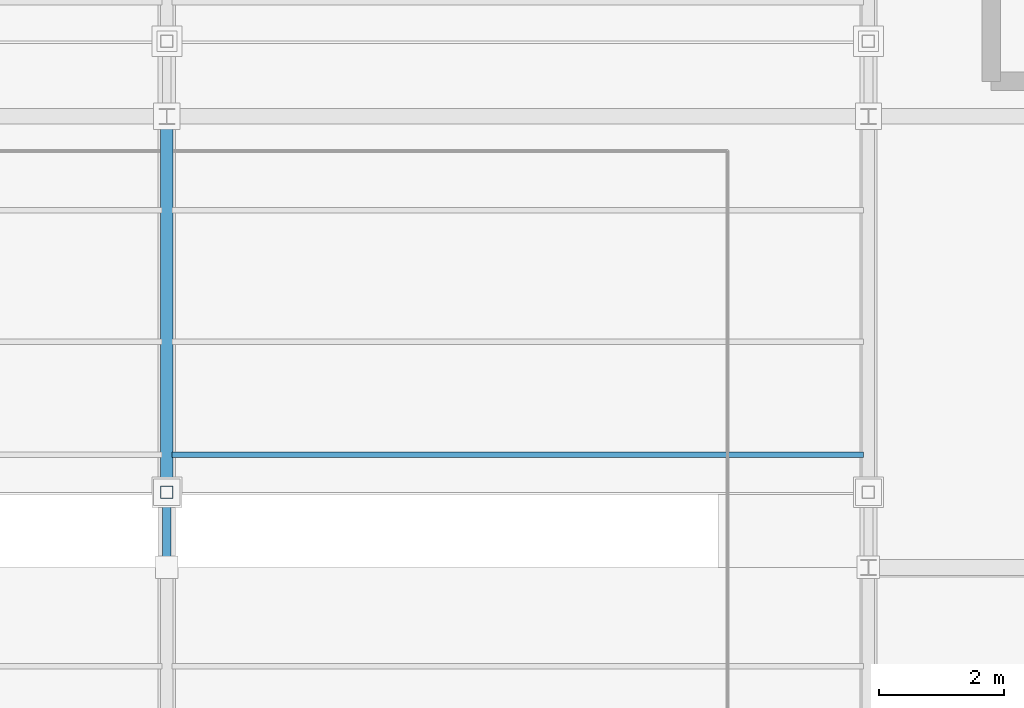
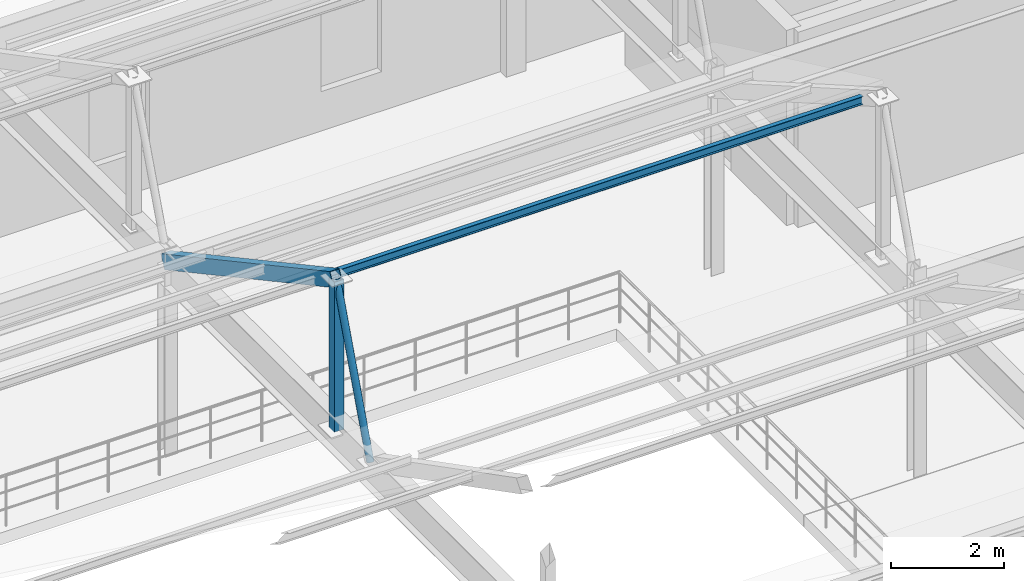
# One storey, part 67 of 112: 4 members.
"""IFC4 building model written with IfcOpenShell, lengths in metres."""

from ifc_helpers import new_model, si_unit, direction, frame, origin, origin_2d, place, context, subcontext, project, spatial, hollow_rectangle, hollow_circle, i_section, extrude, material, material_profile, profile_set, type_object, element, save


model = new_model("IFC4")

# Units and contexts
model_context = context("Model", 3, precision=1e-05, world=origin(), true_north=direction((0.0, 1.0)))
body_context = subcontext(model_context, "Body", "Model", "MODEL_VIEW")
ifc_project = project(units=[si_unit("LENGTHUNIT", "METRE"), si_unit("AREAUNIT", "SQUARE_METRE"), si_unit("VOLUMEUNIT", "CUBIC_METRE"), si_unit("PLANEANGLEUNIT", "RADIAN"), si_unit("MASSUNIT", "GRAM", prefix="KILO")], contexts=[model_context])

# Site, building, storey
site_placement = place(None, origin())
site = spatial("IfcSite", under=ifc_project, at=site_placement, CompositionType="ELEMENT")
building_placement = place(site_placement, origin())
building = spatial("IfcBuilding", under=site, at=building_placement, Name="Cinderbank Siding Concert Hall", CompositionType="ELEMENT")
storey_placement = place(building_placement, frame((0.0, 0.0, 10.199951171875)))
storey = spatial("IfcBuildingStorey", under=building, at=storey_placement, Name="L03", CompositionType="ELEMENT", Elevation=10.199951171875)

# Members
ifc_material_1 = material(Name="Structural steel hollow section AS/NZS 1163 Grade C350L0 (350 MPa)", Category="steel")
ifc_material_profile_1 = material_profile(ifc_material_1, hollow_circle(Radius=0.06982421875, WallThickness=0.00634765625, at=origin_2d()), Name="139.7x6.4CHS", Category="LoadBearing")
ifc_profile_set_1 = profile_set([ifc_material_profile_1], Name="Structural steel hollow section AS/NZS 1163 Grade C350L0 (350 MPa)")
member_type_1 = type_object("IfcMemberType", Name="BR-CHS139 139.7x6.4CHS Roof Truss", PredefinedType="BRACE", material=ifc_profile_set_1)
member_1_placement = place(storey_placement, frame((139.199951171875, 103.300048828125, 4.150146484375), z_axis=(0.0, 0.346361679598, 0.938101053675), x_axis=(-1.0, 0.0, 0.0)))
element("IfcMember", 1, at=member_1_placement, inside=storey, type_object=member_type_1, Name="L03 Diagonal Brace BR-CHS139 #V3DG-BR-CHS139-L03-2470", PredefinedType="BRACE", context=body_context, shape_type="SweptSolid", body=[
    extrude(hollow_circle(Radius=0.06982421875, WallThickness=0.00634765625, at=origin_2d()), origin(), (0.0, 0.0, 1.0), 3.46435546875),
])
ifc_material_profile_2 = material_profile(ifc_material_1, hollow_rectangle(XDim=0.199951171875, YDim=0.199951171875, WallThickness=0.009033203125, at=origin_2d()), Name="200x200x9.0SHS", Category="LoadBearing")
ifc_profile_set_2 = profile_set([ifc_material_profile_2], Name="Structural steel hollow section AS/NZS 1163 Grade C350L0 (350 MPa)")
member_type_2 = type_object("IfcMemberType", Name="BR-SHS200 200x200x9.0SHS Roof Truss", PredefinedType="BRACE", material=ifc_profile_set_2)
member_2_placement = place(storey_placement, frame((139.199951171875, 104.5, 4.150146484375), z_axis=(0.0, 0.0, 1.0), x_axis=(1.0, 0.0, 0.0)))
element("IfcMember", 2, at=member_2_placement, inside=storey, type_object=member_type_2, Name="L03 Diagonal Brace BR-SHS200 #V3ST-BR-SHS200-L03-2469", PredefinedType="BRACE", context=body_context, shape_type="SweptSolid", body=[
    extrude(hollow_rectangle(XDim=0.199951171875, YDim=0.199951171875, WallThickness=0.009033203125, at=origin_2d()), origin(), (0.0, 0.0, 1.0), 3.25),
])
ifc_material_2 = material(Name="Structural steel AS/NZS 3679.1 Grade 350 (340 MPa)", Category="steel")
ifc_material_profile_3 = material_profile(ifc_material_2, i_section(OverallWidth=0.090087890625, OverallDepth=0.175048828125, WebThickness=0.0048828125, FlangeThickness=0.008056640625, at=origin_2d()), Name="180UB18.1", Category="LoadBearing")
ifc_profile_set_3 = profile_set([ifc_material_profile_3], Name="Structural steel AS/NZS 3679.1 Grade 350 (340 MPa)")
member_type_3 = type_object("IfcMemberType", Name="PR-UB180 180UB18.1 Roof Truss", PredefinedType="PURLIN", material=ifc_profile_set_3)
member_3_placement = place(storey_placement, frame((139.280029296875, 105.10009765625, 7.02001953125), z_axis=(1.0, 0.0, 0.0), x_axis=(0.0, 1.0, 0.0)))
element("IfcMember", 3, at=member_3_placement, inside=storey, type_object=member_type_3, Name="L03 Roof Truss Member PR-UB180 #2518", PredefinedType="PURLIN", context=body_context, shape_type="SweptSolid", body=[
    extrude(i_section(OverallWidth=0.090087890625, OverallDepth=0.175048828125, WebThickness=0.0048828125, FlangeThickness=0.008056640625, at=origin_2d()), origin(), (0.0, 0.0, 1.0), 11.0400390625),
])
ifc_material_profile_4 = material_profile(ifc_material_1, hollow_rectangle(XDim=0.199951171875, YDim=0.300048828125, WallThickness=0.010009765625, at=origin_2d()), Name="300x200x10.0RHS", Category="LoadBearing")
ifc_profile_set_4 = profile_set([ifc_material_profile_4], Name="Structural steel hollow section AS/NZS 1163 Grade C350L0 (350 MPa)")
member_type_4 = type_object("IfcMemberType", Name="TR-RHS300 300x200x10.0RHS Roof Truss", PredefinedType="RAFTER", material=ifc_profile_set_4)
member_4_placement = place(storey_placement, frame((139.199951171875, 110.5, 4.150146484375), z_axis=(0.0, -0.879291966537, 0.476283148541), x_axis=(1.0, 0.0, 0.0)))
element("IfcMember", 4, at=member_4_placement, inside=storey, type_object=member_type_4, Name="L03 Roof Truss Member TR-RHS300 #2468", PredefinedType="RAFTER", context=body_context, shape_type="SweptSolid", body=[
    extrude(hollow_rectangle(XDim=0.199951171875, YDim=0.300048828125, WallThickness=0.010009765625, at=origin_2d()), origin(), (0.0, 0.0, 1.0), 6.82373046875),
])

save(model, "model.ifc")
